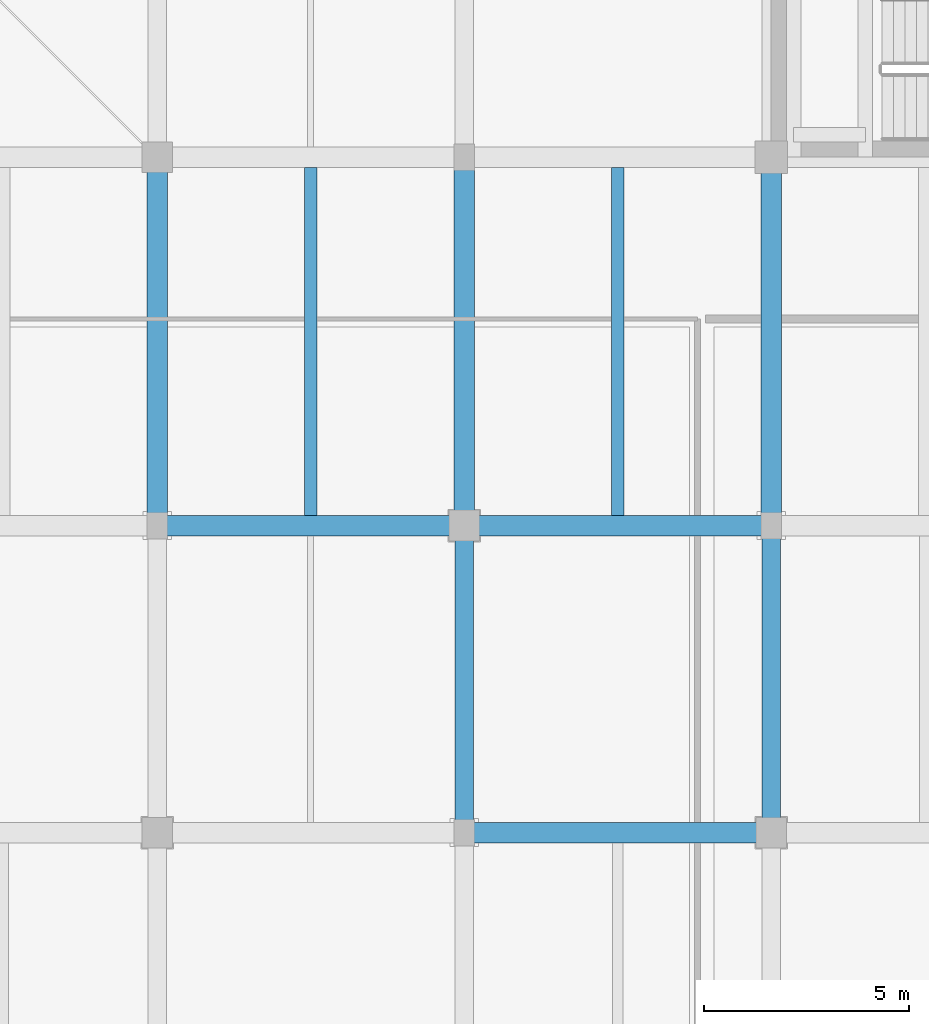
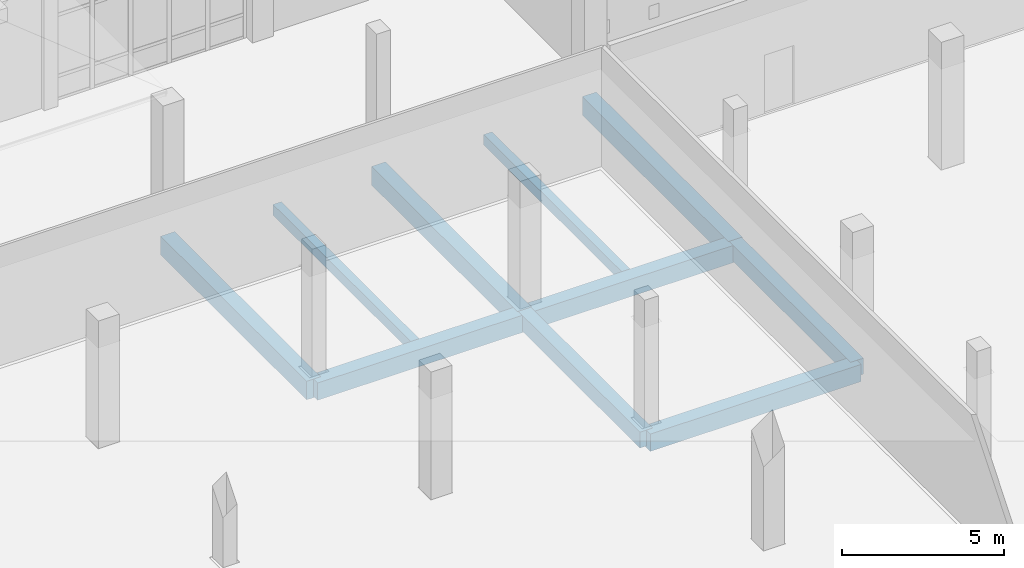
# One storey, part 46 of 125: 10 beams.
"""IFC4 building model written with IfcOpenShell, lengths in metres."""

from ifc_helpers import new_model, si_unit, direction, frame, origin, origin_2d, place, context, subcontext, project, spatial, rectangle, extrude, material, material_profile, profile_set, type_object, element, save


model = new_model("IFC4")

# Units and contexts
model_context = context("Model", 3, precision=1e-05, world=origin(), true_north=direction((0.0, 1.0)))
body_context = subcontext(model_context, "Body", "Model", "MODEL_VIEW")
ifc_project = project(units=[si_unit("LENGTHUNIT", "METRE"), si_unit("AREAUNIT", "SQUARE_METRE"), si_unit("VOLUMEUNIT", "CUBIC_METRE"), si_unit("PLANEANGLEUNIT", "RADIAN"), si_unit("MASSUNIT", "GRAM", prefix="KILO")], contexts=[model_context])

# Site, building, storey
site_placement = place(None, origin())
site = spatial("IfcSite", under=ifc_project, at=site_placement, CompositionType="ELEMENT")
building_placement = place(site_placement, origin())
building = spatial("IfcBuilding", under=site, at=building_placement, Name="Dalvernix Boulevard General Hospital", CompositionType="ELEMENT")
storey_placement = place(building_placement, origin())
storey = spatial("IfcBuildingStorey", under=building, at=storey_placement, Name="L00", CompositionType="ELEMENT", Elevation=0.0)

# Beams
ifc_material = material(Name="Concrete C35/45", Category="concrete")
ifc_material_profile_1 = material_profile(ifc_material, rectangle(XDim=0.5, YDim=0.699951171875, at=origin_2d()), Name="RCB 500x700")
ifc_profile_set_1 = profile_set([ifc_material_profile_1], Name="Concrete C35/45")
beam_type_1 = type_object("IfcBeamType", Name="BM-B-01-I", PredefinedType="BEAM", material=ifc_profile_set_1)
for number, where, z_axis, x_axis, name in (
    (1, (45.0, 100.5, -0.7099609375), (0.0, 1.0, 0.0), (-1.0, 0.0, 0.0), "L00 N-S girder 7:P-Q"),
    (2, (52.5, 100.5, -0.7099609375), (0.0, 1.0, 0.0), (-1.0, 0.0, 0.0), "L00 N-S girder 8:P-Q"),
    (3, (60.0, 100.5, -0.7099609375), (0.0, 1.0, 0.0), (-1.0, 0.0, 0.0), "L00 N-S girder 9:P-Q"),
):
    element("IfcBeam", number, at=place(storey_placement, frame(where, z_axis=z_axis, x_axis=x_axis)), inside=storey, type_object=beam_type_1, Name=name, PredefinedType="BEAM", context=body_context, shape_type="SweptSolid", body=[
        extrude(rectangle(XDim=0.5, YDim=0.699951171875, at=origin_2d()), origin(), (0.0, 0.0, 1.0), 9.0),
    ])
ifc_material_profile_2 = material_profile(ifc_material, rectangle(XDim=0.5, YDim=0.64990234375, at=origin_2d()), Name="RCB 500x650")
ifc_profile_set_2 = profile_set([ifc_material_profile_2], Name="Concrete C35/45")
beam_type_2 = type_object("IfcBeamType", Name="BM-B-02-I", PredefinedType="BEAM", material=ifc_profile_set_2)
for number, where, z_axis, x_axis, name in (
    (4, (52.5, 93.0, -0.68505859375), (1.0, 0.0, 0.0), (0.0, 1.0, 0.0), "L00 E-W girder N:8-9"),
    (5, (45.0, 100.5, -0.68505859375), (1.0, 0.0, 0.0), (0.0, 1.0, 0.0), "L00 E-W girder P:7-8"),
    (6, (52.5, 100.5, -0.68505859375), (1.0, 0.0, 0.0), (0.0, 1.0, 0.0), "L00 E-W girder P:8-9"),
):
    element("IfcBeam", number, at=place(storey_placement, frame(where, z_axis=z_axis, x_axis=x_axis)), inside=storey, type_object=beam_type_2, Name=name, PredefinedType="BEAM", context=body_context, shape_type="SweptSolid", body=[
        extrude(rectangle(XDim=0.5, YDim=0.64990234375, at=origin_2d()), origin(), (0.0, 0.0, 1.0), 7.5),
    ])
ifc_material_profile_3 = material_profile(ifc_material, rectangle(XDim=0.449951171875, YDim=0.60009765625, at=origin_2d()), Name="RCB 450x600")
ifc_profile_set_3 = profile_set([ifc_material_profile_3], Name="Concrete C35/45")
beam_type_3 = type_object("IfcBeamType", Name="BM-B-04-I", PredefinedType="BEAM", material=ifc_profile_set_3)
for number, where, z_axis, x_axis, name in (
    (7, (52.5, 93.0, -0.659912109375), (0.0, 1.0, 0.0), (-1.0, 0.0, 0.0), "L00 N-S girder 8:N-P"),
    (8, (60.0, 93.0, -0.659912109375), (0.0, 1.0, 0.0), (-1.0, 0.0, 0.0), "L00 N-S girder 9:N-P"),
):
    element("IfcBeam", number, at=place(storey_placement, frame(where, z_axis=z_axis, x_axis=x_axis)), inside=storey, type_object=beam_type_3, Name=name, PredefinedType="BEAM", context=body_context, shape_type="SweptSolid", body=[
        extrude(rectangle(XDim=0.449951171875, YDim=0.60009765625, at=origin_2d()), origin(), (0.0, 0.0, 1.0), 7.5),
    ])
ifc_material_profile_4 = material_profile(ifc_material, rectangle(XDim=0.300048828125, YDim=0.39990234375, at=origin_2d()), Name="RCB 300x400")
ifc_profile_set_4 = profile_set([ifc_material_profile_4], Name="Concrete C35/45")
beam_type_4 = type_object("IfcBeamType", Name="BM-JB-01", PredefinedType="JOIST", material=ifc_profile_set_4)
for number, where, z_axis, x_axis, name in (
    (9, (48.75, 100.75, -0.56005859375), (0.0, 1.0, 0.0), (-1.0, 0.0, 0.0), "L00 secondary floor beam 7-P"),
    (10, (56.25, 100.75, -0.56005859375), (0.0, 1.0, 0.0), (-1.0, 0.0, 0.0), "L00 secondary floor beam 8-P"),
):
    element("IfcBeam", number, at=place(storey_placement, frame(where, z_axis=z_axis, x_axis=x_axis)), inside=storey, type_object=beam_type_4, Name=name, PredefinedType="JOIST", context=body_context, shape_type="SweptSolid", body=[
        extrude(rectangle(XDim=0.300048828125, YDim=0.39990234375, at=origin_2d()), origin(), (0.0, 0.0, 1.0), 8.5),
    ])

save(model, "model.ifc")
